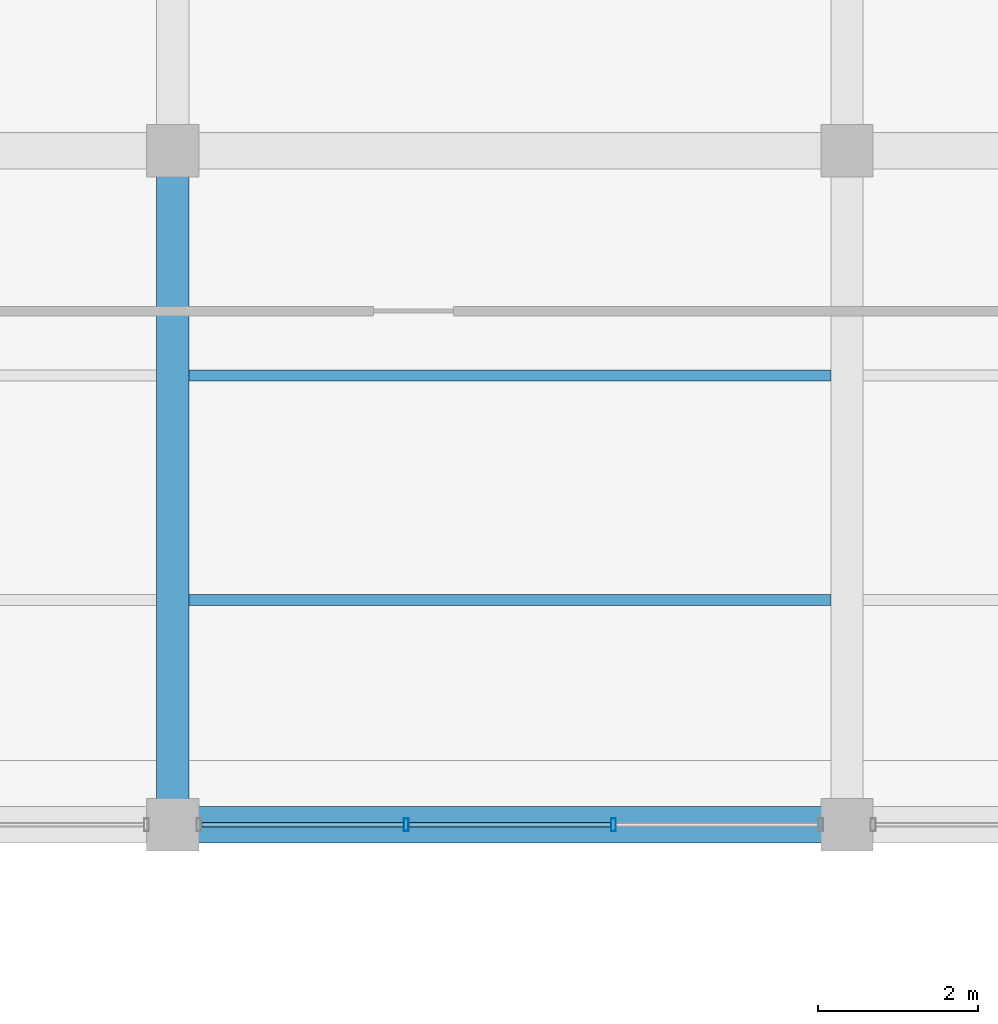
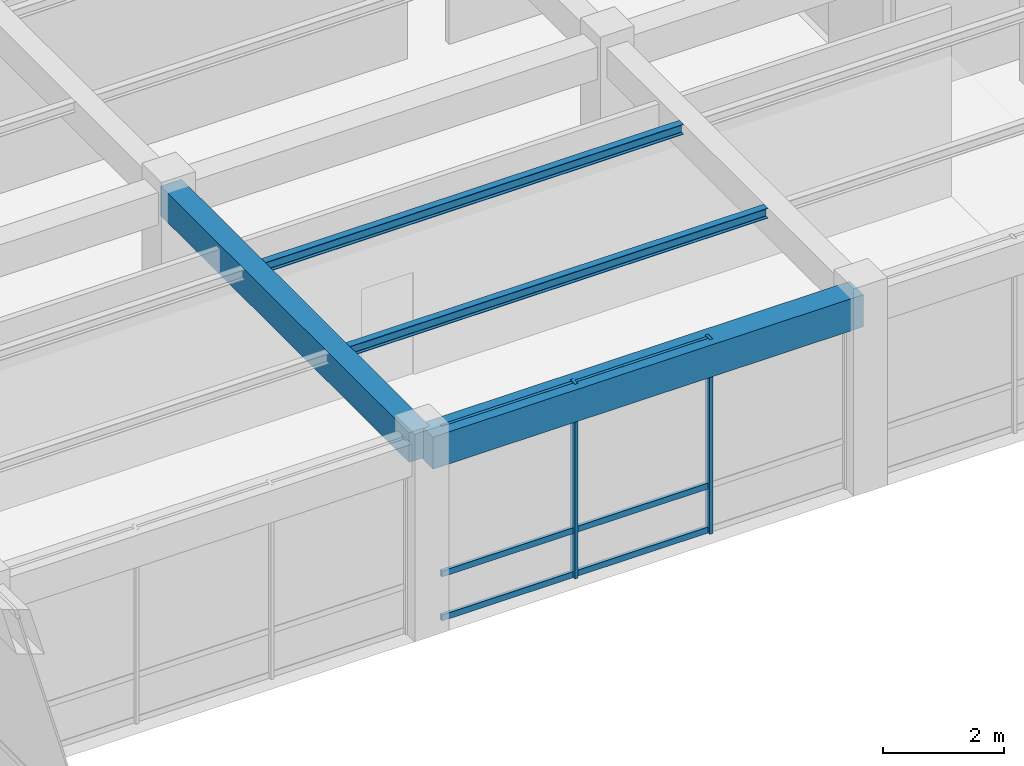
# One storey, part 14 of 138: 8 members, 4 beams, 1 element without a shape of its own.
"""IFC4 building model written with IfcOpenShell, lengths in metres."""

from ifc_helpers import new_model, si_unit, direction, frame, origin, origin_2d, place, context, subcontext, project, spatial, rectangle, hollow_rectangle, i_section, extrude, material, material_profile, profile_set, type_object, element, aggregate, save


model = new_model("IFC4")

# Units and contexts
model_context = context("Model", 3, precision=1e-05, world=origin(), true_north=direction((0.0, 1.0)))
body_context = subcontext(model_context, "Body", "Model", "MODEL_VIEW")
ifc_project = project(units=[si_unit("LENGTHUNIT", "METRE"), si_unit("AREAUNIT", "SQUARE_METRE"), si_unit("VOLUMEUNIT", "CUBIC_METRE"), si_unit("PLANEANGLEUNIT", "RADIAN"), si_unit("MASSUNIT", "GRAM", prefix="KILO"), si_unit("THERMODYNAMICTEMPERATUREUNIT", "KELVIN"), si_unit("POWERUNIT", "WATT")], contexts=[model_context])

# Site, building, storey
site_placement = place(None, origin())
site = spatial("IfcSite", under=ifc_project, at=site_placement, CompositionType="ELEMENT")
building_placement = place(site_placement, origin())
building = spatial("IfcBuilding", under=site, at=building_placement, Name="Darbajah Civic Hall", CompositionType="ELEMENT")
storey_placement = place(building_placement, frame((0.0, 0.0, 9.60009765625)))
storey = spatial("IfcBuildingStorey", under=building, at=storey_placement, Name="L02", CompositionType="ELEMENT", Elevation=9.60009765625)

# Curtain wall, members
ifc_material_1 = material(Name="Anodised Bronze Aluminium and Low-E Glazing", Category="aluminium")
curtain_wall_type = type_object("IfcCurtainWallType", Name="Unitised Curtain Wall CW-99 7700x3950", PredefinedType="USERDEFINED", material=ifc_material_1)
curtain_wall_placement = place(storey_placement, origin())
curtain_wall = element("IfcCurtainWall", 1, at=curtain_wall_placement, inside=storey, type_object=curtain_wall_type, Name="L02 unitised curtain wall CW-V5-L02-S2-B1", ObjectType="UNITISED CURTAIN WALL", PredefinedType="USERDEFINED")
ifc_material_2 = material(Name="Anodised Bronze Aluminium", Category="aluminium")
ifc_material_profile_1 = material_profile(ifc_material_2, hollow_rectangle(XDim=0.06005859375, YDim=0.159912109375, WallThickness=0.00341796875, at=origin_2d()), Name="ALU MULLION 60x160")
ifc_profile_set_1 = profile_set([ifc_material_profile_1], Name="Anodised Bronze Aluminium")
member_type_1 = type_object("IfcMemberType", Name="ALU MULLION 60x160", PredefinedType="MULLION", material=ifc_profile_set_1)
member_1_placement = place(storey_placement, frame((28.10888671875, 16.800048828125, 0.0), z_axis=(0.0, 0.0, 1.0), x_axis=(1.0, 0.0, 0.0)))
member_1 = element("IfcMember", 2, at=member_1_placement, type_object=member_type_1, Name="CW-V5-L02-S2-B1 mullion 2", PredefinedType="MULLION", context=body_context, shape_type="SweptSolid", body=[
    extrude(hollow_rectangle(XDim=0.06005859375, YDim=0.159912109375, WallThickness=0.00341796875, at=origin_2d()), origin(), (0.0, 0.0, 1.0), 3.93994140625),
])
member_2_placement = place(storey_placement, frame((30.69091796875, 16.800048828125, 0.0), z_axis=(0.0, 0.0, 1.0), x_axis=(1.0, 0.0, 0.0)))
member_2 = element("IfcMember", 3, at=member_2_placement, type_object=member_type_1, Name="CW-V5-L02-S2-B1 mullion 3", PredefinedType="MULLION", context=body_context, shape_type="SweptSolid", body=[
    extrude(hollow_rectangle(XDim=0.06005859375, YDim=0.159912109375, WallThickness=0.00341796875, at=origin_2d()), origin(), (0.0, 0.0, 1.0), 3.93994140625),
])
ifc_material_profile_2 = material_profile(ifc_material_2, hollow_rectangle(XDim=0.06005859375, YDim=0.1201171875, WallThickness=0.003173828125, at=origin_2d()), Name="ALU TRANSOM 60x120")
ifc_profile_set_2 = profile_set([ifc_material_profile_2], Name="Anodised Bronze Aluminium")
member_type_2 = type_object("IfcMemberType", Name="ALU TRANSOM 60x120", PredefinedType="USERDEFINED", material=ifc_profile_set_2)
member_3_placement = place(storey_placement, frame((25.56201171875, 16.800048828125, 0.059814453125), z_axis=(1.0, 0.0, 0.0), x_axis=(0.0, 1.0, 0.0)))
member_3 = element("IfcMember", 4, at=member_3_placement, type_object=member_type_2, Name="CW-V5-L02-S2-B1 transom 1.1", ObjectType="TRANSOM", PredefinedType="USERDEFINED", context=body_context, shape_type="SweptSolid", body=[
    extrude(hollow_rectangle(XDim=0.06005859375, YDim=0.1201171875, WallThickness=0.003173828125, at=origin_2d()), origin(), (0.0, 0.0, 1.0), 2.511962890625),
])
member_4_placement = place(storey_placement, frame((25.56201171875, 16.800048828125, 0.949951171875), z_axis=(1.0, 0.0, 0.0), x_axis=(0.0, 1.0, 0.0)))
member_4 = element("IfcMember", 5, at=member_4_placement, type_object=member_type_2, Name="CW-V5-L02-S2-B1 transom 1.2", ObjectType="TRANSOM", PredefinedType="USERDEFINED", context=body_context, shape_type="SweptSolid", body=[
    extrude(hollow_rectangle(XDim=0.06005859375, YDim=0.1201171875, WallThickness=0.003173828125, at=origin_2d()), origin(), (0.0, 0.0, 1.0), 2.511962890625),
])
member_5_placement = place(storey_placement, frame((25.56201171875, 16.800048828125, 3.8798828125), z_axis=(1.0, 0.0, 0.0), x_axis=(0.0, 1.0, 0.0)))
member_5 = element("IfcMember", 6, at=member_5_placement, type_object=member_type_2, Name="CW-V5-L02-S2-B1 transom 1.3", ObjectType="TRANSOM", PredefinedType="USERDEFINED", context=body_context, shape_type="SweptSolid", body=[
    extrude(hollow_rectangle(XDim=0.06005859375, YDim=0.1201171875, WallThickness=0.003173828125, at=origin_2d()), origin(), (0.0, 0.0, 1.0), 2.511962890625),
])
member_6_placement = place(storey_placement, frame((28.14404296875, 16.800048828125, 0.059814453125), z_axis=(1.0, 0.0, 0.0), x_axis=(0.0, 1.0, 0.0)))
member_6 = element("IfcMember", 7, at=member_6_placement, type_object=member_type_2, Name="CW-V5-L02-S2-B1 transom 2.1", ObjectType="TRANSOM", PredefinedType="USERDEFINED", context=body_context, shape_type="SweptSolid", body=[
    extrude(hollow_rectangle(XDim=0.06005859375, YDim=0.1201171875, WallThickness=0.003173828125, at=origin_2d()), origin(), (0.0, 0.0, 1.0), 2.511962890625),
])
member_7_placement = place(storey_placement, frame((28.14404296875, 16.800048828125, 0.949951171875), z_axis=(1.0, 0.0, 0.0), x_axis=(0.0, 1.0, 0.0)))
member_7 = element("IfcMember", 8, at=member_7_placement, type_object=member_type_2, Name="CW-V5-L02-S2-B1 transom 2.2", ObjectType="TRANSOM", PredefinedType="USERDEFINED", context=body_context, shape_type="SweptSolid", body=[
    extrude(hollow_rectangle(XDim=0.06005859375, YDim=0.1201171875, WallThickness=0.003173828125, at=origin_2d()), origin(), (0.0, 0.0, 1.0), 2.511962890625),
])
member_8_placement = place(storey_placement, frame((28.14404296875, 16.800048828125, 3.8798828125), z_axis=(1.0, 0.0, 0.0), x_axis=(0.0, 1.0, 0.0)))
member_8 = element("IfcMember", 9, at=member_8_placement, type_object=member_type_2, Name="CW-V5-L02-S2-B1 transom 2.3", ObjectType="TRANSOM", PredefinedType="USERDEFINED", context=body_context, shape_type="SweptSolid", body=[
    extrude(hollow_rectangle(XDim=0.06005859375, YDim=0.1201171875, WallThickness=0.003173828125, at=origin_2d()), origin(), (0.0, 0.0, 1.0), 2.511962890625),
])
aggregate(curtain_wall, [member_1, member_2, member_3, member_4, member_5, member_6, member_7, member_8])

# Beams
ifc_material_3 = material(Name="Concrete C45/55", Category="concrete")
ifc_material_profile_3 = material_profile(ifc_material_3, rectangle(XDim=0.39990234375, YDim=0.60009765625, at=origin_2d()), Name="RC BEAM 400x600")
ifc_profile_set_3 = profile_set([ifc_material_profile_3], Name="Concrete C45/55")
beam_type_1 = type_object("IfcBeamType", Name="RC BEAM 400x600", PredefinedType="BEAM", material=ifc_profile_set_3)
beam_1_placement = place(storey_placement, frame((25.199951171875, 16.8798828125, 3.639892578125), z_axis=(0.0, 1.0, 0.0), x_axis=(-1.0, 0.0, 0.0)))
element("IfcBeam", 10, at=beam_1_placement, inside=storey, type_object=beam_type_1, Name="L02 beam BM-4060", PredefinedType="BEAM", context=body_context, shape_type="SweptSolid", body=[
    extrude(rectangle(XDim=0.39990234375, YDim=0.60009765625, at=origin_2d()), origin(), (0.0, 0.0, 1.0), 8.240234375),
])
ifc_material_profile_4 = material_profile(ifc_material_3, rectangle(XDim=0.449951171875, YDim=0.64990234375, at=origin_2d()), Name="RC BEAM 450x650")
ifc_profile_set_4 = profile_set([ifc_material_profile_4], Name="Concrete C45/55")
beam_type_2 = type_object("IfcBeamType", Name="RC BEAM 450x650", PredefinedType="BEAM", material=ifc_profile_set_4)
beam_2_placement = place(storey_placement, frame((25.280029296875, 16.800048828125, 3.614990234375), z_axis=(1.0, 0.0, 0.0), x_axis=(0.0, 1.0, 0.0)))
element("IfcBeam", 11, at=beam_2_placement, inside=storey, type_object=beam_type_2, Name="L02 beam BM-4565", PredefinedType="BEAM", context=body_context, shape_type="SweptSolid", body=[
    extrude(rectangle(XDim=0.449951171875, YDim=0.64990234375, at=origin_2d()), origin(), (0.0, 0.0, 1.0), 8.239990234375),
])
ifc_material_4 = material(Name="Steel S355JR", Category="steel")
ifc_material_profile_5 = material_profile(ifc_material_4, i_section(OverallWidth=0.1337890625, OverallDepth=0.206787109375, WebThickness=0.00634765625, FlangeThickness=0.009521484375, FilletRadius=0.007568359375, at=origin_2d()), Name="UB 203x133x30")
ifc_profile_set_5 = profile_set([ifc_material_profile_5], Name="Steel S355JR")
beam_type_3 = type_object("IfcBeamType", Name="UB 203x133x30", PredefinedType="JOIST", material=ifc_profile_set_5)
for number, where, z_axis, x_axis, name in (
    (12, (25.39990234375, 19.60009765625, 3.83642578125), (1.0, 0.0, 0.0), (0.0, 1.0, 0.0), "L02 beam SJ-203"),
    (13, (25.39990234375, 22.39990234375, 3.83642578125), (1.0, 0.0, 0.0), (0.0, 1.0, 0.0), "L02 beam SJ-203"),
):
    element("IfcBeam", number, at=place(storey_placement, frame(where, z_axis=z_axis, x_axis=x_axis)), inside=storey, type_object=beam_type_3, Name=name, PredefinedType="JOIST", context=body_context, shape_type="SweptSolid", body=[
        extrude(i_section(OverallWidth=0.1337890625, OverallDepth=0.206787109375, WebThickness=0.00634765625, FlangeThickness=0.009521484375, FilletRadius=0.007568359375, at=origin_2d()), origin(), (0.0, 0.0, 1.0), 8.0),
    ])

save(model, "model.ifc")
